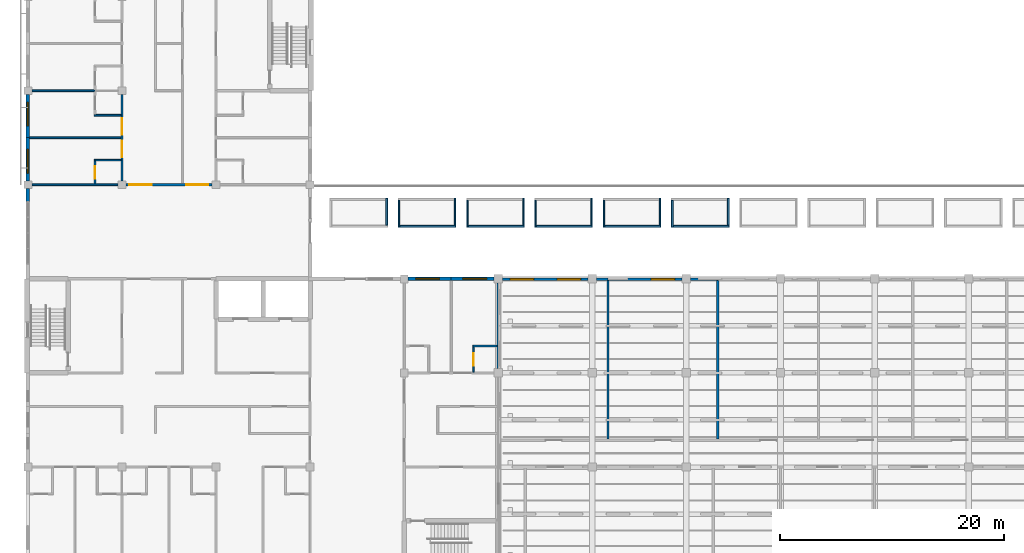
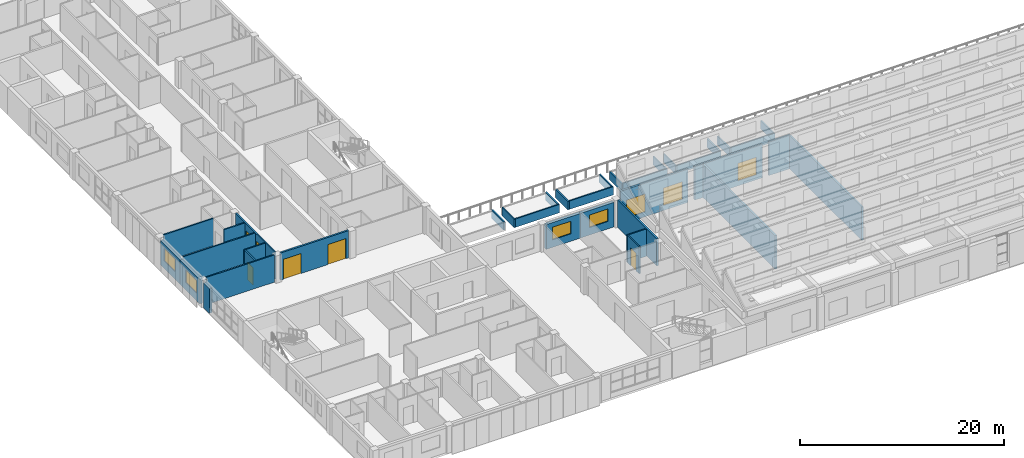
# One storey, part 30 of 61: 38 walls, 7 windows, 6 doors, 13 openings.
"""IFC4 building model written with IfcOpenShell, lengths in metres."""

from ifc_helpers import new_model, si_unit, direction, frame, frame_2d, origin, place, context, subcontext, project, spatial, rectangle, extrude, material, layer, layer_set, type_object, element, fill, save


model = new_model("IFC4")

# Units and contexts
model_context = context("Model", 3, precision=1e-05, world=origin(), true_north=direction((0.0, 1.0)))
body_context = subcontext(model_context, "Body", "Model", "MODEL_VIEW")
ifc_project = project(units=[si_unit("LENGTHUNIT", "METRE"), si_unit("AREAUNIT", "SQUARE_METRE"), si_unit("VOLUMEUNIT", "CUBIC_METRE"), si_unit("PLANEANGLEUNIT", "RADIAN"), si_unit("MASSUNIT", "GRAM", prefix="KILO")], contexts=[model_context])

# Site, building, storey
site_placement = place(None, origin())
site = spatial("IfcSite", under=ifc_project, at=site_placement, CompositionType="ELEMENT")
building_placement = place(site_placement, origin())
building = spatial("IfcBuilding", under=site, at=building_placement, Name="Yavir Park General Hospital", CompositionType="ELEMENT")
storey_placement = place(building_placement, frame((0.0, 0.0, 15.300048828125)))
storey = spatial("IfcBuildingStorey", under=building, at=storey_placement, Name="L03", CompositionType="ELEMENT", Elevation=15.300048828125)

# Wall, openings, doors
ifc_material_1 = material(Name="Double gypsum board fire partition on steel studs", Category="steel")
ifc_layer_1 = layer(ifc_material_1, 0.199951171875)
ifc_layer_set_1 = layer_set([ifc_layer_1], Name="Double gypsum board fire partition on steel studs")
wall_type_1 = type_object("IfcWallType", Name="Fire-rated partition 200, EI 60", PredefinedType="PARTITIONING", material=ifc_layer_set_1)
wall_1_placement = place(storey_placement, frame((8.75, 33.60009765625, 0.0), z_axis=(0.0, 0.0, 1.0), x_axis=(1.0, 0.0, 0.0)))
wall_1 = element("IfcWall", 1, at=wall_1_placement, inside=storey, type_object=wall_type_1, Name="FP20 L03-064", PredefinedType="PARTITIONING", context=body_context, shape_type="SweptSolid", body=[
    extrude(rectangle(XDim=7.699951171875, YDim=0.199951171875, at=frame_2d((3.85009765625, 0.0))), origin(), (0.0, 0.0, 1.0), 3.260009765625),
])
opening_1_placement = place(wall_1_placement, frame((0.324951171875, 0.0, 0.0)))
opening_1 = element("IfcOpeningElement", 2, at=opening_1_placement, cuts=wall_1, Name="Opening L03.D081", PredefinedType="OPENING", context=body_context, shape_type="SweptSolid", body=[
    extrude(rectangle(XDim=2.0, YDim=2.39990234375, at=frame_2d((1.0, 1.199951171875))), frame((0.0, 0.10986328125, 0.0), z_axis=(0.0, -1.0, 0.0), x_axis=(1.0, 0.0, 0.0)), (0.0, 0.0, 1.0), 0.219970703125),
])
opening_2_placement = place(wall_1_placement, frame((5.375, 0.0, 0.0)))
opening_2 = element("IfcOpeningElement", 3, at=opening_2_placement, cuts=wall_1, Name="Opening L03.D082", PredefinedType="OPENING", context=body_context, shape_type="SweptSolid", body=[
    extrude(rectangle(XDim=2.0, YDim=2.39990234375, at=frame_2d((1.0, 1.199951171875))), frame((0.0, 0.10986328125, 0.0), z_axis=(0.0, -1.0, 0.0), x_axis=(1.0, 0.0, 0.0)), (0.0, 0.0, 1.0), 0.219970703125),
])
ifc_material_2 = material(Name="Steel frame, fire-resisting leaves with vision panels", Category="steel")
door_type_1 = type_object("IfcDoorType", Name="Double fire door with vision panels 2000 x 2400, EI 60", OperationType="DOUBLE_DOOR_SINGLE_SWING", PredefinedType="DOOR", material=ifc_material_2)
door_1_placement = place(opening_1_placement, origin())
door_1 = element("IfcDoor", 4, at=door_1_placement, inside=storey, type_object=door_type_1, Name="L03.D081", OperationType="SINGLE_SWING_LEFT", OverallHeight=2.39990234375, OverallWidth=2.0, PredefinedType="DOOR", context=body_context, shape_type="SweptSolid", body=[
    extrude(rectangle(XDim=2.0, YDim=2.39990234375, at=frame_2d((1.0, 1.199951171875))), frame((0.0, 0.030029296875, 0.0), z_axis=(0.0, -1.0, 0.0), x_axis=(1.0, 0.0, 0.0)), (0.0, 0.0, 1.0), 0.06005859375),
])
fill(opening_1, door_1)
door_2_placement = place(opening_2_placement, origin())
door_2 = element("IfcDoor", 5, at=door_2_placement, inside=storey, type_object=door_type_1, Name="L03.D082", OperationType="SINGLE_SWING_RIGHT", OverallHeight=2.39990234375, OverallWidth=2.0, PredefinedType="DOOR", context=body_context, shape_type="SweptSolid", body=[
    extrude(rectangle(XDim=2.0, YDim=2.39990234375, at=frame_2d((1.0, 1.199951171875))), frame((0.0, 0.030029296875, 0.0), z_axis=(0.0, -1.0, 0.0), x_axis=(1.0, 0.0, 0.0)), (0.0, 0.0, 1.0), 0.06005859375),
])
fill(opening_2, door_2)

# Walls
wall_2_placement = place(storey_placement, frame((42.0, 17.175048828125, 0.0), z_axis=(0.0, 0.0, 1.0), x_axis=(0.0, 1.0, 0.0)))
element("IfcWall", 6, at=wall_2_placement, inside=storey, type_object=wall_type_1, Name="FP20 L03-228", PredefinedType="PARTITIONING", context=body_context, shape_type="SweptSolid", body=[
    extrude(rectangle(XDim=7.64990234375, YDim=0.199951171875, at=frame_2d((3.824951171875, 0.0))), origin(), (0.0, 0.0, 1.0), 3.260009765625),
])
for number, where, z_axis, x_axis, name in (
    (7, (51.800048828125, 10.89990234375, 0.0), (0.0, 0.0, 1.0), (0.0, 1.0, 0.0), "FP20 L03-230"),
    (8, (61.60009765625, 10.89990234375, 0.0), (0.0, 0.0, 1.0), (0.0, 1.0, 0.0), "FP20 L03-232"),
):
    element("IfcWall", number, at=place(storey_placement, frame(where, z_axis=z_axis, x_axis=x_axis)), inside=storey, type_object=wall_type_1, Name=name, PredefinedType="PARTITIONING", context=body_context, shape_type="SweptSolid", body=[
        extrude(rectangle(XDim=14.150146484375, YDim=0.199951171875, at=frame_2d((7.0751953125, 0.0))), origin(), (0.0, 0.0, 1.0), 4.0),
    ])
ifc_material_3 = material(Name="Gypsum board partition on steel studs", Category="steel")
ifc_layer_2 = layer(ifc_material_3, 0.14990234375)
ifc_layer_set_2 = layer_set([ifc_layer_2], Name="Gypsum board partition on steel studs")
wall_type_2 = type_object("IfcWallType", Name="Gypsum board partition 150", PredefinedType="PARTITIONING", material=ifc_layer_set_2)
wall_3_placement = place(storey_placement, frame((39.72509765625, 19.199951171875, 0.0), z_axis=(0.0, 0.0, 1.0), x_axis=(1.0, 0.0, 0.0)))
element("IfcWall", 9, at=wall_3_placement, inside=storey, type_object=wall_type_2, Name="P15 L03-052", PredefinedType="PARTITIONING", context=body_context, shape_type="SweptSolid", body=[
    extrude(rectangle(XDim=2.1748046875, YDim=0.14990234375, at=frame_2d((1.08740234375, 0.0))), origin(), (0.0, 0.0, 1.0), 3.260009765625),
])
wall_4_placement = place(storey_placement, frame((0.35009765625, 33.60009765625, 0.0), z_axis=(0.0, 0.0, 1.0), x_axis=(1.0, 0.0, 0.0)))
element("IfcWall", 10, at=wall_4_placement, inside=storey, type_object=wall_type_2, Name="P15 L03-063", PredefinedType="PARTITIONING", context=body_context, shape_type="SweptSolid", body=[
    extrude(rectangle(XDim=7.699951171875, YDim=0.14990234375, at=frame_2d((3.85009765625, 0.0))), origin(), (0.0, 0.0, 1.0), 3.260009765625),
])
wall_5_placement = place(storey_placement, frame((5.925048828125, 35.800048828125, 0.0), z_axis=(0.0, 0.0, 1.0), x_axis=(1.0, 0.0, 0.0)))
element("IfcWall", 11, at=wall_5_placement, inside=storey, type_object=wall_type_2, Name="P15 L03-066", PredefinedType="PARTITIONING", context=body_context, shape_type="SweptSolid", body=[
    extrude(rectangle(XDim=2.39990234375, YDim=0.14990234375, at=frame_2d((1.199951171875, 0.0))), origin(), (0.0, 0.0, 1.0), 3.260009765625),
])
wall_6_placement = place(storey_placement, frame((0.14990234375, 37.800048828125, 0.0), z_axis=(0.0, 0.0, 1.0), x_axis=(1.0, 0.0, 0.0)))
element("IfcWall", 12, at=wall_6_placement, inside=storey, type_object=wall_type_2, Name="P15 L03-068", PredefinedType="PARTITIONING", context=body_context, shape_type="SweptSolid", body=[
    extrude(rectangle(XDim=8.175048828125, YDim=0.14990234375, at=frame_2d((4.08740234375, 0.0))), origin(), (0.0, 0.0, 1.0), 3.260009765625),
])
wall_7_placement = place(storey_placement, frame((5.925048828125, 39.800048828125, 0.0), z_axis=(0.0, 0.0, 1.0), x_axis=(1.0, 0.0, 0.0)))
element("IfcWall", 13, at=wall_7_placement, inside=storey, type_object=wall_type_2, Name="P15 L03-070", PredefinedType="PARTITIONING", context=body_context, shape_type="SweptSolid", body=[
    extrude(rectangle(XDim=2.39990234375, YDim=0.14990234375, at=frame_2d((1.199951171875, 0.0))), origin(), (0.0, 0.0, 1.0), 3.260009765625),
])
wall_8_placement = place(storey_placement, frame((0.35009765625, 42.0, 0.0), z_axis=(0.0, 0.0, 1.0), x_axis=(1.0, 0.0, 0.0)))
element("IfcWall", 14, at=wall_8_placement, inside=storey, type_object=wall_type_2, Name="P15 L03-072", PredefinedType="PARTITIONING", context=body_context, shape_type="SweptSolid", body=[
    extrude(rectangle(XDim=5.64990234375, YDim=0.14990234375, at=frame_2d((2.824951171875, 0.0))), origin(), (0.0, 0.0, 1.0), 3.260009765625),
])

# Wall, opening, door
wall_9_placement = place(storey_placement, frame((6.0, 33.675048828125, 0.0), z_axis=(0.0, 0.0, 1.0), x_axis=(0.0, 1.0, 0.0)))
wall_9 = element("IfcWall", 15, at=wall_9_placement, inside=storey, type_object=wall_type_2, Name="P15 L03-151", PredefinedType="PARTITIONING", context=body_context, shape_type="SweptSolid", body=[
    extrude(rectangle(XDim=2.050048828125, YDim=0.14990234375, at=frame_2d((1.02490234375, 0.0))), origin(), (0.0, 0.0, 1.0), 3.260009765625),
])
opening_3_placement = place(wall_9_placement, frame((0.47509765625, 0.0, 0.0)))
opening_3 = element("IfcOpeningElement", 16, at=opening_3_placement, cuts=wall_9, Name="Opening L03.D093", PredefinedType="OPENING", context=body_context, shape_type="SweptSolid", body=[
    extrude(rectangle(XDim=1.10009765625, YDim=2.10009765625, at=frame_2d((0.550048828125, 1.050048828125))), frame((0.0, 0.0849609375, 0.0), z_axis=(0.0, -1.0, 0.0), x_axis=(1.0, 0.0, 0.0)), (0.0, 0.0, 1.0), 0.169921875),
])
ifc_material_4 = material(Name="Hollow metal frame, solid-core timber leaf", Category="wood")
door_type_2 = type_object("IfcDoorType", Name="Single swing door 1100 x 2100", OperationType="SINGLE_SWING_LEFT", PredefinedType="DOOR", material=ifc_material_4)
door_3_placement = place(opening_3_placement, origin())
door_3 = element("IfcDoor", 17, at=door_3_placement, inside=storey, type_object=door_type_2, Name="L03.D093", OperationType="SINGLE_SWING_RIGHT", OverallHeight=2.10009765625, OverallWidth=1.10009765625, PredefinedType="DOOR", context=body_context, shape_type="SweptSolid", body=[
    extrude(rectangle(XDim=1.10009765625, YDim=2.10009765625, at=frame_2d((0.550048828125, 1.050048828125))), frame((0.0, 0.02490234375, 0.0), z_axis=(0.0, -1.0, 0.0), x_axis=(1.0, 0.0, 0.0)), (0.0, 0.0, 1.0), 0.050048828125),
])
fill(opening_3, door_3)

# Wall, openings, doors
wall_10_placement = place(storey_placement, frame((8.39990234375, 33.949951171875, 0.0), z_axis=(0.0, 0.0, 1.0), x_axis=(0.0, 1.0, 0.0)))
wall_10 = element("IfcWall", 18, at=wall_10_placement, inside=storey, type_object=wall_type_2, Name="P15 L03-168", PredefinedType="PARTITIONING", context=body_context, shape_type="SweptSolid", body=[
    extrude(rectangle(XDim=7.699951171875, YDim=0.14990234375, at=frame_2d((3.85009765625, 0.0))), origin(), (0.0, 0.0, 1.0), 3.260009765625),
])
opening_4_placement = place(wall_10_placement, frame((2.10009765625, 0.0, 0.0)))
opening_4 = element("IfcOpeningElement", 19, at=opening_4_placement, cuts=wall_10, Name="Opening L03.D105", PredefinedType="OPENING", context=body_context, shape_type="SweptSolid", body=[
    extrude(rectangle(XDim=1.5, YDim=2.39990234375, at=frame_2d((0.75, 1.199951171875))), frame((0.0, 0.0849609375, 0.0), z_axis=(0.0, -1.0, 0.0), x_axis=(1.0, 0.0, 0.0)), (0.0, 0.0, 1.0), 0.169921875),
])
opening_5_placement = place(wall_10_placement, frame((4.10009765625, 0.0, 0.0)))
opening_5 = element("IfcOpeningElement", 20, at=opening_5_placement, cuts=wall_10, Name="Opening L03.D106", PredefinedType="OPENING", context=body_context, shape_type="SweptSolid", body=[
    extrude(rectangle(XDim=1.5, YDim=2.39990234375, at=frame_2d((0.75, 1.199951171875))), frame((0.0, 0.0849609375, 0.0), z_axis=(0.0, -1.0, 0.0), x_axis=(1.0, 0.0, 0.0)), (0.0, 0.0, 1.0), 0.169921875),
])
ifc_material_5 = material(Name="Solid-core timber leaves, push plates, kick plates", Category="wood")
door_type_3 = type_object("IfcDoorType", Name="Bed door, unequal leaves 1500 x 2400", OperationType="DOUBLE_DOOR_SINGLE_SWING", PredefinedType="DOOR", material=ifc_material_5)
door_4_placement = place(opening_4_placement, origin())
door_4 = element("IfcDoor", 21, at=door_4_placement, inside=storey, type_object=door_type_3, Name="L03.D105", OperationType="SINGLE_SWING_RIGHT", OverallHeight=2.39990234375, OverallWidth=1.5, PredefinedType="DOOR", context=body_context, shape_type="SweptSolid", body=[
    extrude(rectangle(XDim=1.5, YDim=2.39990234375, at=frame_2d((0.75, 1.199951171875))), frame((0.0, 0.030029296875, 0.0), z_axis=(0.0, -1.0, 0.0), x_axis=(1.0, 0.0, 0.0)), (0.0, 0.0, 1.0), 0.06005859375),
])
fill(opening_4, door_4)
door_5_placement = place(opening_5_placement, origin())
door_5 = element("IfcDoor", 22, at=door_5_placement, inside=storey, type_object=door_type_3, Name="L03.D106", OperationType="SINGLE_SWING_RIGHT", OverallHeight=2.39990234375, OverallWidth=1.5, PredefinedType="DOOR", context=body_context, shape_type="SweptSolid", body=[
    extrude(rectangle(XDim=1.5, YDim=2.39990234375, at=frame_2d((0.75, 1.199951171875))), frame((0.0, 0.030029296875, 0.0), z_axis=(0.0, -1.0, 0.0), x_axis=(1.0, 0.0, 0.0)), (0.0, 0.0, 1.0), 0.06005859375),
])
fill(opening_5, door_5)

# Wall, opening, door
wall_11_placement = place(storey_placement, frame((39.800048828125, 16.875, 0.0), z_axis=(0.0, 0.0, 1.0), x_axis=(0.0, 1.0, 0.0)))
wall_11 = element("IfcWall", 23, at=wall_11_placement, inside=storey, type_object=wall_type_2, Name="P15 L03-225", PredefinedType="PARTITIONING", context=body_context, shape_type="SweptSolid", body=[
    extrude(rectangle(XDim=2.25, YDim=0.14990234375, at=frame_2d((1.125, 0.0))), origin(), (0.0, 0.0, 1.0), 3.260009765625),
])
opening_6_placement = place(wall_11_placement, frame((0.574951171875, 0.0, 0.0)))
opening_6 = element("IfcOpeningElement", 24, at=opening_6_placement, cuts=wall_11, Name="Opening L03.D157", PredefinedType="OPENING", context=body_context, shape_type="SweptSolid", body=[
    extrude(rectangle(XDim=1.10009765625, YDim=2.10009765625, at=frame_2d((0.550048828125, 1.050048828125))), frame((0.0, 0.0849609375, 0.0), z_axis=(0.0, -1.0, 0.0), x_axis=(1.0, 0.0, 0.0)), (0.0, 0.0, 1.0), 0.169921875),
])
door_6_placement = place(opening_6_placement, origin())
door_6 = element("IfcDoor", 25, at=door_6_placement, inside=storey, type_object=door_type_2, Name="L03.D157", OperationType="SINGLE_SWING_RIGHT", OverallHeight=2.10009765625, OverallWidth=1.10009765625, PredefinedType="DOOR", context=body_context, shape_type="SweptSolid", body=[
    extrude(rectangle(XDim=1.10009765625, YDim=2.10009765625, at=frame_2d((0.550048828125, 1.050048828125))), frame((0.0, 0.02490234375, 0.0), z_axis=(0.0, -1.0, 0.0), x_axis=(1.0, 0.0, 0.0)), (0.0, 0.0, 1.0), 0.050048828125),
])
fill(opening_6, door_6)

# Wall, openings, windows
ifc_material_6 = material(Name="Insulated sheet steel panels on a Steel S355 subframe", Category="steel")
ifc_layer_3 = layer(ifc_material_6, 0.22509765625)
ifc_layer_set_3 = layer_set([ifc_layer_3], Name="Insulated sheet steel panels on a Steel S355 subframe")
wall_type_3 = type_object("IfcWallType", Name="Louvred plant wall 225, E 30", PredefinedType="SOLIDWALL", material=ifc_layer_set_3)
wall_12_placement = place(storey_placement, frame((42.375, 25.16259765625, 0.0), z_axis=(0.0, 0.0, 1.0), x_axis=(1.0, 0.0, 0.0)))
wall_12 = element("IfcWall", 26, at=wall_12_placement, inside=storey, type_object=wall_type_3, Name="XW4 L03-048", PredefinedType="SOLIDWALL", context=body_context, shape_type="SweptSolid", body=[
    extrude(rectangle(XDim=7.64990234375, YDim=0.22509765625, at=frame_2d((3.824951171875, 0.0))), origin(), (0.0, 0.0, 1.0), 4.0),
])
opening_7_placement = place(wall_12_placement, frame((0.675048828125, 0.0, 0.60009765625)))
opening_7 = element("IfcOpeningElement", 27, at=opening_7_placement, cuts=wall_12, Name="Opening LV2", PredefinedType="OPENING", context=body_context, shape_type="SweptSolid", body=[
    extrude(rectangle(XDim=2.10009765625, YDim=2.10009765625, at=frame_2d((1.050048828125, 1.050048828125))), frame((0.0, 0.12255859375, 0.0), z_axis=(0.0, -1.0, 0.0), x_axis=(1.0, 0.0, 0.0)), (0.0, 0.0, 1.0), 0.2451171875),
])
opening_8_placement = place(wall_12_placement, frame((4.875, 0.0, 0.60009765625)))
opening_8 = element("IfcOpeningElement", 28, at=opening_8_placement, cuts=wall_12, Name="Opening LV2", PredefinedType="OPENING", context=body_context, shape_type="SweptSolid", body=[
    extrude(rectangle(XDim=2.10009765625, YDim=2.10009765625, at=frame_2d((1.050048828125, 1.050048828125))), frame((0.0, 0.12255859375, 0.0), z_axis=(0.0, -1.0, 0.0), x_axis=(1.0, 0.0, 0.0)), (0.0, 0.0, 1.0), 0.2451171875),
])
ifc_material_7 = material(Name="Anodised aluminium louvre blades in a deep frame", Category="aluminium")
window_type_1 = type_object("IfcWindowType", Name="Tall plant louvre 2100 x 2100", PartitioningType="SINGLE_PANEL", PredefinedType="WINDOW", material=ifc_material_7)
window_1_placement = place(opening_7_placement, origin())
window_1 = element("IfcWindow", 29, at=window_1_placement, inside=storey, type_object=window_type_1, Name="LV2 L03-024", OverallHeight=2.10009765625, OverallWidth=2.10009765625, PartitioningType="SINGLE_PANEL", PredefinedType="WINDOW", context=body_context, shape_type="SweptSolid", body=[
    extrude(rectangle(XDim=2.10009765625, YDim=2.10009765625, at=frame_2d((1.050048828125, 1.050048828125))), frame((0.0, 0.074951171875, 0.0), z_axis=(0.0, -1.0, 0.0), x_axis=(1.0, 0.0, 0.0)), (0.0, 0.0, 1.0), 0.14990234375),
])
fill(opening_7, window_1)
window_2_placement = place(opening_8_placement, origin())
window_2 = element("IfcWindow", 30, at=window_2_placement, inside=storey, type_object=window_type_1, Name="LV2 L03-025", OverallHeight=2.10009765625, OverallWidth=2.10009765625, PartitioningType="SINGLE_PANEL", PredefinedType="WINDOW", context=body_context, shape_type="SweptSolid", body=[
    extrude(rectangle(XDim=2.10009765625, YDim=2.10009765625, at=frame_2d((1.050048828125, 1.050048828125))), frame((0.0, 0.074951171875, 0.0), z_axis=(0.0, -1.0, 0.0), x_axis=(1.0, 0.0, 0.0)), (0.0, 0.0, 1.0), 0.14990234375),
])
fill(opening_8, window_2)

# Wall
wall_13_placement = place(storey_placement, frame((50.77490234375, 25.16259765625, 0.0), z_axis=(0.0, 0.0, 1.0), x_axis=(1.0, 0.0, 0.0)))
element("IfcWall", 31, at=wall_13_placement, inside=storey, type_object=wall_type_3, Name="XW4 L03-049", PredefinedType="SOLIDWALL", context=body_context, shape_type="SweptSolid", body=[
    extrude(rectangle(XDim=1.025146484375, YDim=0.22509765625, at=frame_2d((0.5126953125, 0.0))), origin(), (0.0, 0.0, 1.0), 4.0),
])

# Wall, opening, window
wall_14_placement = place(storey_placement, frame((51.800048828125, 25.16259765625, 0.0), z_axis=(0.0, 0.0, 1.0), x_axis=(1.0, 0.0, 0.0)))
wall_14 = element("IfcWall", 32, at=wall_14_placement, inside=storey, type_object=wall_type_3, Name="XW4 L03-050", PredefinedType="SOLIDWALL", context=body_context, shape_type="SweptSolid", body=[
    extrude(rectangle(XDim=6.625, YDim=0.22509765625, at=frame_2d((3.3125, 0.0))), origin(), (0.0, 0.0, 1.0), 4.0),
])
opening_9_placement = place(wall_14_placement, frame((3.85009765625, 0.0, 0.60009765625)))
opening_9 = element("IfcOpeningElement", 33, at=opening_9_placement, cuts=wall_14, Name="Opening LV2", PredefinedType="OPENING", context=body_context, shape_type="SweptSolid", body=[
    extrude(rectangle(XDim=2.10009765625, YDim=2.10009765625, at=frame_2d((1.050048828125, 1.050048828125))), frame((0.0, 0.12255859375, 0.0), z_axis=(0.0, -1.0, 0.0), x_axis=(1.0, 0.0, 0.0)), (0.0, 0.0, 1.0), 0.2451171875),
])
window_3_placement = place(opening_9_placement, origin())
window_3 = element("IfcWindow", 34, at=window_3_placement, inside=storey, type_object=window_type_1, Name="LV2 L03-026", OverallHeight=2.10009765625, OverallWidth=2.10009765625, PartitioningType="SINGLE_PANEL", PredefinedType="WINDOW", context=body_context, shape_type="SweptSolid", body=[
    extrude(rectangle(XDim=2.10009765625, YDim=2.10009765625, at=frame_2d((1.050048828125, 1.050048828125))), frame((0.0, 0.074951171875, 0.0), z_axis=(0.0, -1.0, 0.0), x_axis=(1.0, 0.0, 0.0)), (0.0, 0.0, 1.0), 0.14990234375),
])
fill(opening_9, window_3)

# Wall
wall_15_placement = place(storey_placement, frame((59.175048828125, 25.16259765625, 0.0), z_axis=(0.0, 0.0, 1.0), x_axis=(1.0, 0.0, 0.0)))
element("IfcWall", 35, at=wall_15_placement, inside=storey, type_object=wall_type_3, Name="XW4 L03-051", PredefinedType="SOLIDWALL", context=body_context, shape_type="SweptSolid", body=[
    extrude(rectangle(XDim=2.425048828125, YDim=0.22509765625, at=frame_2d((1.21240234375, 0.0))), origin(), (0.0, 0.0, 1.0), 4.0),
])

# Wall, opening, window
ifc_material_8 = material(Name="Autoclaved aerated block, mineral wool and ochre mineral render")
ifc_layer_4 = layer(ifc_material_8, 0.300048828125)
ifc_layer_set_4 = layer_set([ifc_layer_4], Name="Autoclaved aerated block, mineral wool and ochre mineral render")
wall_type_4 = type_object("IfcWallType", Name="Ochre render ward wall 300, E 30", PredefinedType="SOLIDWALL", material=ifc_layer_set_4)
wall_16_placement = place(storey_placement, frame((33.949951171875, 25.199951171875, 0.0), z_axis=(0.0, 0.0, 1.0), x_axis=(1.0, 0.0, 0.0)))
wall_16 = element("IfcWall", 36, at=wall_16_placement, inside=storey, type_object=wall_type_4, Name="XW7 L03-046", PredefinedType="SOLIDWALL", context=body_context, shape_type="SweptSolid", body=[
    extrude(rectangle(XDim=3.85009765625, YDim=0.300048828125, at=frame_2d((1.925048828125, 0.0))), origin(), (0.0, 0.0, 1.0), 2.9599609375),
])
opening_10_placement = place(wall_16_placement, frame((0.699951171875, 0.0, 0.89990234375)))
opening_10 = element("IfcOpeningElement", 37, at=opening_10_placement, cuts=wall_16, Name="Opening WAR", PredefinedType="OPENING", context=body_context, shape_type="SweptSolid", body=[
    extrude(rectangle(XDim=2.10009765625, YDim=1.5, at=frame_2d((1.050048828125, 0.75))), frame((0.0, 0.159912109375, 0.0), z_axis=(0.0, -1.0, 0.0), x_axis=(1.0, 0.0, 0.0)), (0.0, 0.0, 1.0), 0.320068359375),
])
ifc_material_9 = material(Name="Aluminium frame, tilt-and-turn sash with opening restrictor, double glazed unit", Category="aluminium")
window_type_2 = type_object("IfcWindowType", Name="Ward window, restricted opening 2100 x 1500", PartitioningType="DOUBLE_PANEL_VERTICAL", PredefinedType="WINDOW", material=ifc_material_9)
window_4_placement = place(opening_10_placement, origin())
window_4 = element("IfcWindow", 38, at=window_4_placement, inside=storey, type_object=window_type_2, Name="WAR L03-022", OverallHeight=1.5, OverallWidth=2.10009765625, PartitioningType="DOUBLE_PANEL_VERTICAL", PredefinedType="WINDOW", context=body_context, shape_type="SweptSolid", body=[
    extrude(rectangle(XDim=2.10009765625, YDim=1.5, at=frame_2d((1.050048828125, 0.75))), frame((0.0, 0.050048828125, 0.0), z_axis=(0.0, -1.0, 0.0), x_axis=(1.0, 0.0, 0.0)), (0.0, 0.0, 1.0), 0.10009765625),
])
fill(opening_10, window_4)

wall_17_placement = place(storey_placement, frame((37.800048828125, 25.199951171875, 0.0), z_axis=(0.0, 0.0, 1.0), x_axis=(1.0, 0.0, 0.0)))
wall_17 = element("IfcWall", 39, at=wall_17_placement, inside=storey, type_object=wall_type_4, Name="XW7 L03-047", PredefinedType="SOLIDWALL", context=body_context, shape_type="SweptSolid", body=[
    extrude(rectangle(XDim=3.824951171875, YDim=0.300048828125, at=frame_2d((1.91259765625, 0.0))), origin(), (0.0, 0.0, 1.0), 2.9599609375),
])
opening_11_placement = place(wall_17_placement, frame((1.050048828125, 0.0, 0.89990234375)))
opening_11 = element("IfcOpeningElement", 40, at=opening_11_placement, cuts=wall_17, Name="Opening WAR", PredefinedType="OPENING", context=body_context, shape_type="SweptSolid", body=[
    extrude(rectangle(XDim=2.10009765625, YDim=1.5, at=frame_2d((1.050048828125, 0.75))), frame((0.0, 0.159912109375, 0.0), z_axis=(0.0, -1.0, 0.0), x_axis=(1.0, 0.0, 0.0)), (0.0, 0.0, 1.0), 0.320068359375),
])
window_5_placement = place(opening_11_placement, origin())
window_5 = element("IfcWindow", 41, at=window_5_placement, inside=storey, type_object=window_type_2, Name="WAR L03-023", OverallHeight=1.5, OverallWidth=2.10009765625, PartitioningType="DOUBLE_PANEL_VERTICAL", PredefinedType="WINDOW", context=body_context, shape_type="SweptSolid", body=[
    extrude(rectangle(XDim=2.10009765625, YDim=1.5, at=frame_2d((1.050048828125, 0.75))), frame((0.0, 0.050048828125, 0.0), z_axis=(0.0, -1.0, 0.0), x_axis=(1.0, 0.0, 0.0)), (0.0, 0.0, 1.0), 0.10009765625),
])
fill(opening_11, window_5)

# Wall
wall_18_placement = place(storey_placement, frame((0.0, 32.10009765625, 0.0), z_axis=(0.0, 0.0, 1.0), x_axis=(0.0, 1.0, 0.0)))
element("IfcWall", 42, at=wall_18_placement, inside=storey, type_object=wall_type_4, Name="XW7 L03-101", PredefinedType="SOLIDWALL", context=body_context, shape_type="SweptSolid", body=[
    extrude(rectangle(XDim=1.14990234375, YDim=0.300048828125, at=frame_2d((0.574951171875, 0.0))), origin(), (0.0, 0.0, 1.0), 2.9599609375),
])

# Wall, opening, window
wall_19_placement = place(storey_placement, frame((0.0, 33.949951171875, 0.0), z_axis=(0.0, 0.0, 1.0), x_axis=(0.0, 1.0, 0.0)))
wall_19 = element("IfcWall", 43, at=wall_19_placement, inside=storey, type_object=wall_type_4, Name="XW7 L03-103", PredefinedType="SOLIDWALL", context=body_context, shape_type="SweptSolid", body=[
    extrude(rectangle(XDim=3.85009765625, YDim=0.300048828125, at=frame_2d((1.925048828125, 0.0))), origin(), (0.0, 0.0, 1.0), 2.9599609375),
])
opening_12_placement = place(wall_19_placement, frame((0.699951171875, 0.0, 0.89990234375)))
opening_12 = element("IfcOpeningElement", 44, at=opening_12_placement, cuts=wall_19, Name="Opening WAR", PredefinedType="OPENING", context=body_context, shape_type="SweptSolid", body=[
    extrude(rectangle(XDim=2.10009765625, YDim=1.5, at=frame_2d((1.050048828125, 0.75))), frame((0.0, 0.159912109375, 0.0), z_axis=(0.0, -1.0, 0.0), x_axis=(1.0, 0.0, 0.0)), (0.0, 0.0, 1.0), 0.320068359375),
])
window_6_placement = place(opening_12_placement, origin())
window_6 = element("IfcWindow", 45, at=window_6_placement, inside=storey, type_object=window_type_2, Name="WAR L03-048", OverallHeight=1.5, OverallWidth=2.10009765625, PartitioningType="DOUBLE_PANEL_VERTICAL", PredefinedType="WINDOW", context=body_context, shape_type="SweptSolid", body=[
    extrude(rectangle(XDim=2.10009765625, YDim=1.5, at=frame_2d((1.050048828125, 0.75))), frame((0.0, 0.050048828125, 0.0), z_axis=(0.0, -1.0, 0.0), x_axis=(1.0, 0.0, 0.0)), (0.0, 0.0, 1.0), 0.10009765625),
])
fill(opening_12, window_6)

wall_20_placement = place(storey_placement, frame((0.0, 37.800048828125, 0.0), z_axis=(0.0, 0.0, 1.0), x_axis=(0.0, 1.0, 0.0)))
wall_20 = element("IfcWall", 46, at=wall_20_placement, inside=storey, type_object=wall_type_4, Name="XW7 L03-104", PredefinedType="SOLIDWALL", context=body_context, shape_type="SweptSolid", body=[
    extrude(rectangle(XDim=3.849853515625, YDim=0.300048828125, at=frame_2d((1.9248046875, 0.0))), origin(), (0.0, 0.0, 1.0), 2.9599609375),
])
opening_13_placement = place(wall_20_placement, frame((1.050048828125, 0.0, 0.89990234375)))
opening_13 = element("IfcOpeningElement", 47, at=opening_13_placement, cuts=wall_20, Name="Opening WAR", PredefinedType="OPENING", context=body_context, shape_type="SweptSolid", body=[
    extrude(rectangle(XDim=2.10009765625, YDim=1.5, at=frame_2d((1.050048828125, 0.75))), frame((0.0, 0.159912109375, 0.0), z_axis=(0.0, -1.0, 0.0), x_axis=(1.0, 0.0, 0.0)), (0.0, 0.0, 1.0), 0.320068359375),
])
window_7_placement = place(opening_13_placement, origin())
window_7 = element("IfcWindow", 48, at=window_7_placement, inside=storey, type_object=window_type_2, Name="WAR L03-049", OverallHeight=1.5, OverallWidth=2.10009765625, PartitioningType="DOUBLE_PANEL_VERTICAL", PredefinedType="WINDOW", context=body_context, shape_type="SweptSolid", body=[
    extrude(rectangle(XDim=2.10009765625, YDim=1.5, at=frame_2d((1.050048828125, 0.75))), frame((0.0, 0.050048828125, 0.0), z_axis=(0.0, -1.0, 0.0), x_axis=(1.0, 0.0, 0.0)), (0.0, 0.0, 1.0), 0.10009765625),
])
fill(opening_13, window_7)

# Walls
ifc_material_10 = material(Name="Concrete C30/37", Category="concrete")
ifc_layer_5 = layer(ifc_material_10, 0.14990234375)
ifc_layer_set_5 = layer_set([ifc_layer_5], Name="Concrete C30/37")
wall_type_5 = type_object("IfcWallType", Name="Planter upstand 150 x 1000", PredefinedType="STANDARD", material=ifc_layer_set_5)
wall_21_placement = place(storey_placement, frame((32.0478515625, 29.97509765625, 0.0), z_axis=(0.0, 0.0, 1.0), x_axis=(0.0, 1.0, 0.0)))
element("IfcWall", 49, at=wall_21_placement, inside=storey, type_object=wall_type_5, Name="Planter upstand 1.2", PredefinedType="STANDARD", context=body_context, shape_type="SweptSolid", body=[
    extrude(rectangle(XDim=2.39990234375, YDim=0.14990234375, at=frame_2d((1.199951171875, 0.0))), origin(), (0.0, 0.0, 1.0), 1.0),
])
wall_22_placement = place(storey_placement, frame((33.218505859375, 29.89990234375, 0.0), z_axis=(0.0, 0.0, 1.0), x_axis=(1.0, 0.0, 0.0)))
element("IfcWall", 50, at=wall_22_placement, inside=storey, type_object=wall_type_5, Name="Planter upstand 2.1", PredefinedType="STANDARD", context=body_context, shape_type="SweptSolid", body=[
    extrude(rectangle(XDim=5.0, YDim=0.14990234375, at=frame_2d((2.5, 0.0))), origin(), (0.0, 0.0, 1.0), 1.0),
])
wall_23_placement = place(storey_placement, frame((38.1435546875, 29.97509765625, 0.0), z_axis=(0.0, 0.0, 1.0), x_axis=(0.0, 1.0, 0.0)))
element("IfcWall", 51, at=wall_23_placement, inside=storey, type_object=wall_type_5, Name="Planter upstand 2.2", PredefinedType="STANDARD", context=body_context, shape_type="SweptSolid", body=[
    extrude(rectangle(XDim=2.39990234375, YDim=0.14990234375, at=frame_2d((1.199951171875, 0.0))), origin(), (0.0, 0.0, 1.0), 1.0),
])
wall_24_placement = place(storey_placement, frame((33.1435546875, 32.22509765625, 0.0), z_axis=(0.0, 0.0, 1.0), x_axis=(0.0, -1.0, 0.0)))
element("IfcWall", 52, at=wall_24_placement, inside=storey, type_object=wall_type_5, Name="Planter upstand 2.4", PredefinedType="STANDARD", context=body_context, shape_type="SweptSolid", body=[
    extrude(rectangle(XDim=2.400146484375, YDim=0.14990234375, at=frame_2d((1.2001953125, 0.0))), origin(), (0.0, 0.0, 1.0), 1.0),
])
wall_25_placement = place(storey_placement, frame((39.314208984375, 29.89990234375, 0.0), z_axis=(0.0, 0.0, 1.0), x_axis=(1.0, 0.0, 0.0)))
element("IfcWall", 53, at=wall_25_placement, inside=storey, type_object=wall_type_5, Name="Planter upstand 3.1", PredefinedType="STANDARD", context=body_context, shape_type="SweptSolid", body=[
    extrude(rectangle(XDim=5.0, YDim=0.14990234375, at=frame_2d((2.5, 0.0))), origin(), (0.0, 0.0, 1.0), 1.0),
])
wall_26_placement = place(storey_placement, frame((44.239013671875, 29.97509765625, 0.0), z_axis=(0.0, 0.0, 1.0), x_axis=(0.0, 1.0, 0.0)))
element("IfcWall", 54, at=wall_26_placement, inside=storey, type_object=wall_type_5, Name="Planter upstand 3.2", PredefinedType="STANDARD", context=body_context, shape_type="SweptSolid", body=[
    extrude(rectangle(XDim=2.39990234375, YDim=0.14990234375, at=frame_2d((1.199951171875, 0.0))), origin(), (0.0, 0.0, 1.0), 1.0),
])
wall_27_placement = place(storey_placement, frame((39.239013671875, 32.22509765625, 0.0), z_axis=(0.0, 0.0, 1.0), x_axis=(0.0, -1.0, 0.0)))
element("IfcWall", 55, at=wall_27_placement, inside=storey, type_object=wall_type_5, Name="Planter upstand 3.4", PredefinedType="STANDARD", context=body_context, shape_type="SweptSolid", body=[
    extrude(rectangle(XDim=2.400146484375, YDim=0.14990234375, at=frame_2d((1.2001953125, 0.0))), origin(), (0.0, 0.0, 1.0), 1.0),
])
wall_28_placement = place(storey_placement, frame((45.409912109375, 29.89990234375, 0.0), z_axis=(0.0, 0.0, 1.0), x_axis=(1.0, 0.0, 0.0)))
element("IfcWall", 56, at=wall_28_placement, inside=storey, type_object=wall_type_5, Name="Planter upstand 4.1", PredefinedType="STANDARD", context=body_context, shape_type="SweptSolid", body=[
    extrude(rectangle(XDim=5.0, YDim=0.14990234375, at=frame_2d((2.5, 0.0))), origin(), (0.0, 0.0, 1.0), 1.0),
])
wall_29_placement = place(storey_placement, frame((50.334716796875, 29.97509765625, 0.0), z_axis=(0.0, 0.0, 1.0), x_axis=(0.0, 1.0, 0.0)))
element("IfcWall", 57, at=wall_29_placement, inside=storey, type_object=wall_type_5, Name="Planter upstand 4.2", PredefinedType="STANDARD", context=body_context, shape_type="SweptSolid", body=[
    extrude(rectangle(XDim=2.39990234375, YDim=0.14990234375, at=frame_2d((1.199951171875, 0.0))), origin(), (0.0, 0.0, 1.0), 1.0),
])
wall_30_placement = place(storey_placement, frame((45.334716796875, 32.22509765625, 0.0), z_axis=(0.0, 0.0, 1.0), x_axis=(0.0, -1.0, 0.0)))
element("IfcWall", 58, at=wall_30_placement, inside=storey, type_object=wall_type_5, Name="Planter upstand 4.4", PredefinedType="STANDARD", context=body_context, shape_type="SweptSolid", body=[
    extrude(rectangle(XDim=2.400146484375, YDim=0.14990234375, at=frame_2d((1.2001953125, 0.0))), origin(), (0.0, 0.0, 1.0), 1.0),
])
wall_31_placement = place(storey_placement, frame((51.50537109375, 29.89990234375, 0.0), z_axis=(0.0, 0.0, 1.0), x_axis=(1.0, 0.0, 0.0)))
element("IfcWall", 59, at=wall_31_placement, inside=storey, type_object=wall_type_5, Name="Planter upstand 5.1", PredefinedType="STANDARD", context=body_context, shape_type="SweptSolid", body=[
    extrude(rectangle(XDim=5.0, YDim=0.14990234375, at=frame_2d((2.5, 0.0))), origin(), (0.0, 0.0, 1.0), 1.0),
])
wall_32_placement = place(storey_placement, frame((56.430419921875, 29.97509765625, 0.0), z_axis=(0.0, 0.0, 1.0), x_axis=(0.0, 1.0, 0.0)))
element("IfcWall", 60, at=wall_32_placement, inside=storey, type_object=wall_type_5, Name="Planter upstand 5.2", PredefinedType="STANDARD", context=body_context, shape_type="SweptSolid", body=[
    extrude(rectangle(XDim=2.39990234375, YDim=0.14990234375, at=frame_2d((1.199951171875, 0.0))), origin(), (0.0, 0.0, 1.0), 1.0),
])
wall_33_placement = place(storey_placement, frame((51.430419921875, 32.22509765625, 0.0), z_axis=(0.0, 0.0, 1.0), x_axis=(0.0, -1.0, 0.0)))
element("IfcWall", 61, at=wall_33_placement, inside=storey, type_object=wall_type_5, Name="Planter upstand 5.4", PredefinedType="STANDARD", context=body_context, shape_type="SweptSolid", body=[
    extrude(rectangle(XDim=2.400146484375, YDim=0.14990234375, at=frame_2d((1.2001953125, 0.0))), origin(), (0.0, 0.0, 1.0), 1.0),
])
wall_34_placement = place(storey_placement, frame((57.60107421875, 29.89990234375, 0.0), z_axis=(0.0, 0.0, 1.0), x_axis=(1.0, 0.0, 0.0)))
element("IfcWall", 62, at=wall_34_placement, inside=storey, type_object=wall_type_5, Name="Planter upstand 6.1", PredefinedType="STANDARD", context=body_context, shape_type="SweptSolid", body=[
    extrude(rectangle(XDim=5.0, YDim=0.14990234375, at=frame_2d((2.5, 0.0))), origin(), (0.0, 0.0, 1.0), 1.0),
])
wall_35_placement = place(storey_placement, frame((62.526123046875, 29.97509765625, 0.0), z_axis=(0.0, 0.0, 1.0), x_axis=(0.0, 1.0, 0.0)))
element("IfcWall", 63, at=wall_35_placement, inside=storey, type_object=wall_type_5, Name="Planter upstand 6.2", PredefinedType="STANDARD", context=body_context, shape_type="SweptSolid", body=[
    extrude(rectangle(XDim=2.39990234375, YDim=0.14990234375, at=frame_2d((1.199951171875, 0.0))), origin(), (0.0, 0.0, 1.0), 1.0),
])
wall_36_placement = place(storey_placement, frame((57.526123046875, 32.22509765625, 0.0), z_axis=(0.0, 0.0, 1.0), x_axis=(0.0, -1.0, 0.0)))
element("IfcWall", 64, at=wall_36_placement, inside=storey, type_object=wall_type_5, Name="Planter upstand 6.4", PredefinedType="STANDARD", context=body_context, shape_type="SweptSolid", body=[
    extrude(rectangle(XDim=2.400146484375, YDim=0.14990234375, at=frame_2d((1.2001953125, 0.0))), origin(), (0.0, 0.0, 1.0), 1.0),
])

save(model, "model.ifc")
